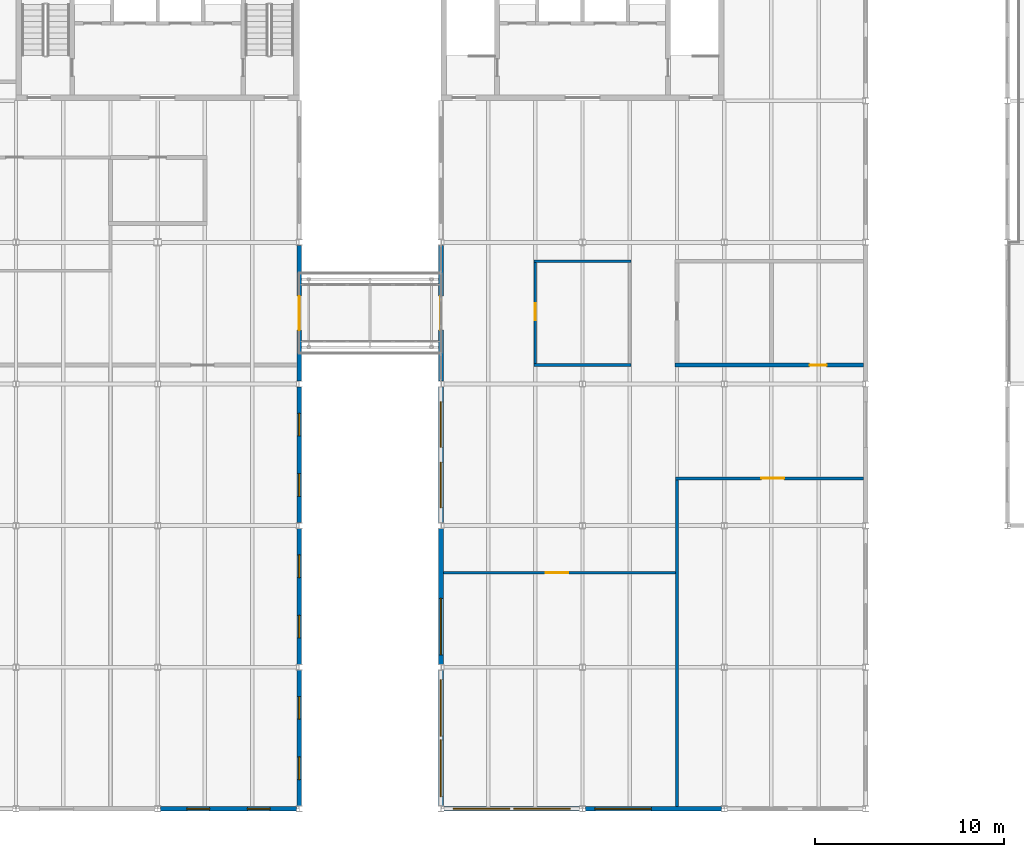
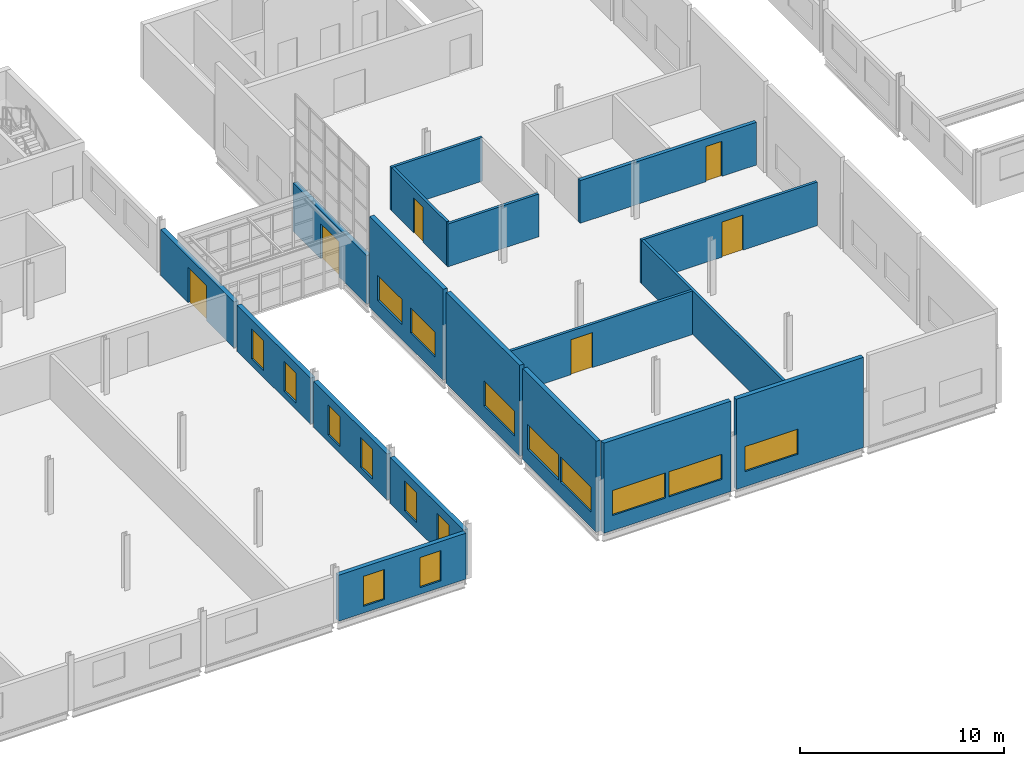
# One storey, part 52 of 198: 18 walls, 16 windows, 6 doors, 22 openings.
"""IFC4 building model written with IfcOpenShell, lengths in metres."""

from ifc_helpers import new_model, si_unit, direction, frame, frame_2d, origin, place, context, subcontext, project, spatial, rectangle, extrude, material, layer, layer_set, type_object, element, fill, save


model = new_model("IFC4")

# Units and contexts
model_context = context("Model", 3, precision=1e-05, world=origin(), true_north=direction((0.0, 1.0)))
body_context = subcontext(model_context, "Body", "Model", "MODEL_VIEW")
ifc_project = project(units=[si_unit("LENGTHUNIT", "METRE"), si_unit("AREAUNIT", "SQUARE_METRE"), si_unit("VOLUMEUNIT", "CUBIC_METRE"), si_unit("PLANEANGLEUNIT", "RADIAN"), si_unit("MASSUNIT", "GRAM", prefix="KILO")], contexts=[model_context])

# Site, building, storey
site_placement = place(None, origin())
site = spatial("IfcSite", under=ifc_project, at=site_placement, CompositionType="ELEMENT")
building_placement = place(site_placement, origin())
building = spatial("IfcBuilding", under=site, at=building_placement, Name="Parallax Yard Mobility Hub", CompositionType="ELEMENT")
storey_placement = place(building_placement, frame((0.0, 0.0, 6.60009765625)))
storey = spatial("IfcBuildingStorey", under=building, at=storey_placement, Name="L02", CompositionType="ELEMENT", Elevation=6.60009765625)

# Wall, openings, windows
ifc_material_1 = material(Name="Concrete fc' 35 MPa", Category="concrete")
ifc_layer_1 = layer(ifc_material_1, 0.25)
ifc_layer_set_1 = layer_set([ifc_layer_1], Name="Exterior wall, Concrete fc' 35 MPa precast, 250 with insulation lining")
wall_type_1 = type_object("IfcWallType", Name="Exterior wall, Concrete fc' 35 MPa precast, 250 with insulation lining", PredefinedType="SOLIDWALL", material=ifc_layer_set_1)
wall_1_placement = place(storey_placement, frame((150.153564453125, 7.5, 0.0), z_axis=(0.0, 0.0, 1.0), x_axis=(1.0, 0.0, 0.0)))
wall_1 = element("IfcWall", 1, at=wall_1_placement, inside=storey, type_object=wall_type_1, Name="Bicycle and shared-mobility hall south wall bay 1 level L02", PredefinedType="SOLIDWALL", context=body_context, shape_type="SweptSolid", body=[
    extrude(rectangle(XDim=7.19287109375, YDim=0.25, at=frame_2d((3.596435546875, 0.0))), origin(), (0.0, 0.0, 1.0), 5.39990234375),
])
opening_1_placement = place(wall_1_placement, frame((0.497802734375, 0.0, 0.89990234375)))
opening_1 = element("IfcOpeningElement", 2, at=opening_1_placement, cuts=wall_1, Name="Opening W7", PredefinedType="OPENING", context=body_context, shape_type="SweptSolid", body=[
    extrude(rectangle(XDim=3.0, YDim=1.5, at=frame_2d((1.5, 0.75))), frame((0.0, 0.135009765625, 0.0), z_axis=(0.0, -1.0, 0.0), x_axis=(1.0, 0.0, 0.0)), (0.0, 0.0, 1.0), 0.27001953125),
])
opening_2_placement = place(wall_1_placement, frame((3.6953125, 0.0, 0.89990234375)))
opening_2 = element("IfcOpeningElement", 3, at=opening_2_placement, cuts=wall_1, Name="Opening W7", PredefinedType="OPENING", context=body_context, shape_type="SweptSolid", body=[
    extrude(rectangle(XDim=3.0, YDim=1.5, at=frame_2d((1.5, 0.75))), frame((0.0, 0.135009765625, 0.0), z_axis=(0.0, -1.0, 0.0), x_axis=(1.0, 0.0, 0.0)), (0.0, 0.0, 1.0), 0.27001953125),
])
ifc_material_2 = material(Name="Double glazed low-E unit in thermally broken aluminium frame", Category="aluminium")
window_type_1 = type_object("IfcWindowType", Name="Meeting room window 3000 x 1500", PartitioningType="TRIPLE_PANEL_VERTICAL", PredefinedType="WINDOW", material=ifc_material_2)
window_1_placement = place(opening_1_placement, origin())
window_1 = element("IfcWindow", 4, at=window_1_placement, inside=storey, type_object=window_type_1, Name="Window W7 level L02", OverallHeight=1.5, OverallWidth=3.0, PartitioningType="TRIPLE_PANEL_VERTICAL", PredefinedType="WINDOW", context=body_context, shape_type="SweptSolid", body=[
    extrude(rectangle(XDim=3.0, YDim=1.5, at=frame_2d((1.5, 0.75))), frame((0.0, 0.030029296875, 0.0), z_axis=(0.0, -1.0, 0.0), x_axis=(1.0, 0.0, 0.0)), (0.0, 0.0, 1.0), 0.06005859375),
])
fill(opening_1, window_1)
window_2_placement = place(opening_2_placement, origin())
window_2 = element("IfcWindow", 5, at=window_2_placement, inside=storey, type_object=window_type_1, Name="Window W7 level L02", OverallHeight=1.5, OverallWidth=3.0, PartitioningType="TRIPLE_PANEL_VERTICAL", PredefinedType="WINDOW", context=body_context, shape_type="SweptSolid", body=[
    extrude(rectangle(XDim=3.0, YDim=1.5, at=frame_2d((1.5, 0.75))), frame((0.0, 0.030029296875, 0.0), z_axis=(0.0, -1.0, 0.0), x_axis=(1.0, 0.0, 0.0)), (0.0, 0.0, 1.0), 0.06005859375),
])
fill(opening_2, window_2)

# Wall, opening, window
wall_2_placement = place(storey_placement, frame((157.653564453125, 7.5, 0.0), z_axis=(0.0, 0.0, 1.0), x_axis=(1.0, 0.0, 0.0)))
wall_2 = element("IfcWall", 6, at=wall_2_placement, inside=storey, type_object=wall_type_1, Name="Bicycle and shared-mobility hall south wall bay 2 level L02", PredefinedType="SOLIDWALL", context=body_context, shape_type="SweptSolid", body=[
    extrude(rectangle(XDim=7.19287109375, YDim=0.25, at=frame_2d((3.596435546875, 0.0))), origin(), (0.0, 0.0, 1.0), 5.39990234375),
])
opening_3_placement = place(wall_2_placement, frame((0.497802734375, 0.0, 0.89990234375)))
opening_3 = element("IfcOpeningElement", 7, at=opening_3_placement, cuts=wall_2, Name="Opening W7", PredefinedType="OPENING", context=body_context, shape_type="SweptSolid", body=[
    extrude(rectangle(XDim=3.0, YDim=1.5, at=frame_2d((1.5, 0.75))), frame((0.0, 0.135009765625, 0.0), z_axis=(0.0, -1.0, 0.0), x_axis=(1.0, 0.0, 0.0)), (0.0, 0.0, 1.0), 0.27001953125),
])
window_3_placement = place(opening_3_placement, origin())
window_3 = element("IfcWindow", 8, at=window_3_placement, inside=storey, type_object=window_type_1, Name="Window W7 level L02", OverallHeight=1.5, OverallWidth=3.0, PartitioningType="TRIPLE_PANEL_VERTICAL", PredefinedType="WINDOW", context=body_context, shape_type="SweptSolid", body=[
    extrude(rectangle(XDim=3.0, YDim=1.5, at=frame_2d((1.5, 0.75))), frame((0.0, 0.030029296875, 0.0), z_axis=(0.0, -1.0, 0.0), x_axis=(1.0, 0.0, 0.0)), (0.0, 0.0, 1.0), 0.06005859375),
])
fill(opening_3, window_3)

# Wall, openings, windows
wall_3_placement = place(storey_placement, frame((150.0, 7.653564453125, 0.0), z_axis=(0.0, 0.0, 1.0), x_axis=(0.0, 1.0, 0.0)))
wall_3 = element("IfcWall", 9, at=wall_3_placement, inside=storey, type_object=wall_type_1, Name="Bicycle and shared-mobility hall west wall bay 1 level L02", PredefinedType="SOLIDWALL", context=body_context, shape_type="SweptSolid", body=[
    extrude(rectangle(XDim=7.19287109375, YDim=0.25, at=frame_2d((3.596435546875, 0.0))), origin(), (0.0, 0.0, 1.0), 5.4404296875),
])
opening_4_placement = place(wall_3_placement, frame((0.497802734375, 0.0, 0.89990234375)))
opening_4 = element("IfcOpeningElement", 10, at=opening_4_placement, cuts=wall_3, Name="Opening W7", PredefinedType="OPENING", context=body_context, shape_type="SweptSolid", body=[
    extrude(rectangle(XDim=3.0, YDim=1.5, at=frame_2d((1.5, 0.75))), frame((0.0, 0.135009765625, 0.0), z_axis=(0.0, -1.0, 0.0), x_axis=(1.0, 0.0, 0.0)), (0.0, 0.0, 1.0), 0.27001953125),
])
opening_5_placement = place(wall_3_placement, frame((3.6953125, 0.0, 0.89990234375)))
opening_5 = element("IfcOpeningElement", 11, at=opening_5_placement, cuts=wall_3, Name="Opening W7", PredefinedType="OPENING", context=body_context, shape_type="SweptSolid", body=[
    extrude(rectangle(XDim=3.0, YDim=1.5, at=frame_2d((1.5, 0.75))), frame((0.0, 0.135009765625, 0.0), z_axis=(0.0, -1.0, 0.0), x_axis=(1.0, 0.0, 0.0)), (0.0, 0.0, 1.0), 0.27001953125),
])
window_4_placement = place(opening_4_placement, origin())
window_4 = element("IfcWindow", 12, at=window_4_placement, inside=storey, type_object=window_type_1, Name="Window W7 level L02", OverallHeight=1.5, OverallWidth=3.0, PartitioningType="TRIPLE_PANEL_VERTICAL", PredefinedType="WINDOW", context=body_context, shape_type="SweptSolid", body=[
    extrude(rectangle(XDim=3.0, YDim=1.5, at=frame_2d((1.5, 0.75))), frame((0.0, 0.030029296875, 0.0), z_axis=(0.0, -1.0, 0.0), x_axis=(1.0, 0.0, 0.0)), (0.0, 0.0, 1.0), 0.06005859375),
])
fill(opening_4, window_4)
window_5_placement = place(opening_5_placement, origin())
window_5 = element("IfcWindow", 13, at=window_5_placement, inside=storey, type_object=window_type_1, Name="Window W7 level L02", OverallHeight=1.5, OverallWidth=3.0, PartitioningType="TRIPLE_PANEL_VERTICAL", PredefinedType="WINDOW", context=body_context, shape_type="SweptSolid", body=[
    extrude(rectangle(XDim=3.0, YDim=1.5, at=frame_2d((1.5, 0.75))), frame((0.0, 0.030029296875, 0.0), z_axis=(0.0, -1.0, 0.0), x_axis=(1.0, 0.0, 0.0)), (0.0, 0.0, 1.0), 0.06005859375),
])
fill(opening_5, window_5)

# Wall, opening, window
wall_4_placement = place(storey_placement, frame((150.0, 15.153564453125, 0.0), z_axis=(0.0, 0.0, 1.0), x_axis=(0.0, 1.0, 0.0)))
wall_4 = element("IfcWall", 14, at=wall_4_placement, inside=storey, type_object=wall_type_1, Name="Bicycle and shared-mobility hall west wall bay 2 level L02", PredefinedType="SOLIDWALL", context=body_context, shape_type="SweptSolid", body=[
    extrude(rectangle(XDim=7.19287109375, YDim=0.25, at=frame_2d((3.596435546875, 0.0))), origin(), (0.0, 0.0, 1.0), 5.4404296875),
])
opening_6_placement = place(wall_4_placement, frame((0.497802734375, 0.0, 0.89990234375)))
opening_6 = element("IfcOpeningElement", 15, at=opening_6_placement, cuts=wall_4, Name="Opening W7", PredefinedType="OPENING", context=body_context, shape_type="SweptSolid", body=[
    extrude(rectangle(XDim=3.0, YDim=1.5, at=frame_2d((1.5, 0.75))), frame((0.0, 0.135009765625, 0.0), z_axis=(0.0, -1.0, 0.0), x_axis=(1.0, 0.0, 0.0)), (0.0, 0.0, 1.0), 0.27001953125),
])
window_6_placement = place(opening_6_placement, origin())
window_6 = element("IfcWindow", 16, at=window_6_placement, inside=storey, type_object=window_type_1, Name="Window W7 level L02", OverallHeight=1.5, OverallWidth=3.0, PartitioningType="TRIPLE_PANEL_VERTICAL", PredefinedType="WINDOW", context=body_context, shape_type="SweptSolid", body=[
    extrude(rectangle(XDim=3.0, YDim=1.5, at=frame_2d((1.5, 0.75))), frame((0.0, 0.030029296875, 0.0), z_axis=(0.0, -1.0, 0.0), x_axis=(1.0, 0.0, 0.0)), (0.0, 0.0, 1.0), 0.06005859375),
])
fill(opening_6, window_6)

# Wall, openings, windows
wall_5_placement = place(storey_placement, frame((150.0, 22.653564453125, 0.0), z_axis=(0.0, 0.0, 1.0), x_axis=(0.0, 1.0, 0.0)))
wall_5 = element("IfcWall", 17, at=wall_5_placement, inside=storey, type_object=wall_type_1, Name="Bicycle and shared-mobility hall west wall bay 3 level L02", PredefinedType="SOLIDWALL", context=body_context, shape_type="SweptSolid", body=[
    extrude(rectangle(XDim=7.19287109375, YDim=0.25, at=frame_2d((3.596435546875, 0.0))), origin(), (0.0, 0.0, 1.0), 5.4404296875),
])
opening_7_placement = place(wall_5_placement, frame((0.797607421875, 0.0, 0.89990234375)))
opening_7 = element("IfcOpeningElement", 18, at=opening_7_placement, cuts=wall_5, Name="Opening W1", PredefinedType="OPENING", context=body_context, shape_type="SweptSolid", body=[
    extrude(rectangle(XDim=2.39990234375, YDim=1.5, at=frame_2d((1.199951171875, 0.75))), frame((0.0, 0.135009765625, 0.0), z_axis=(0.0, -1.0, 0.0), x_axis=(1.0, 0.0, 0.0)), (0.0, 0.0, 1.0), 0.27001953125),
])
opening_8_placement = place(wall_5_placement, frame((3.995361328125, 0.0, 0.89990234375)))
opening_8 = element("IfcOpeningElement", 19, at=opening_8_placement, cuts=wall_5, Name="Opening W1", PredefinedType="OPENING", context=body_context, shape_type="SweptSolid", body=[
    extrude(rectangle(XDim=2.39990234375, YDim=1.5, at=frame_2d((1.199951171875, 0.75))), frame((0.0, 0.135009765625, 0.0), z_axis=(0.0, -1.0, 0.0), x_axis=(1.0, 0.0, 0.0)), (0.0, 0.0, 1.0), 0.27001953125),
])
window_type_2 = type_object("IfcWindowType", Name="Window 2400 x 1500", PartitioningType="DOUBLE_PANEL_VERTICAL", PredefinedType="WINDOW", material=ifc_material_2)
window_7_placement = place(opening_7_placement, origin())
window_7 = element("IfcWindow", 20, at=window_7_placement, inside=storey, type_object=window_type_2, Name="Window W1 level L02", OverallHeight=1.5, OverallWidth=2.39990234375, PartitioningType="DOUBLE_PANEL_VERTICAL", PredefinedType="WINDOW", context=body_context, shape_type="SweptSolid", body=[
    extrude(rectangle(XDim=2.39990234375, YDim=1.5, at=frame_2d((1.199951171875, 0.75))), frame((0.0, 0.030029296875, 0.0), z_axis=(0.0, -1.0, 0.0), x_axis=(1.0, 0.0, 0.0)), (0.0, 0.0, 1.0), 0.06005859375),
])
fill(opening_7, window_7)
window_8_placement = place(opening_8_placement, origin())
window_8 = element("IfcWindow", 21, at=window_8_placement, inside=storey, type_object=window_type_2, Name="Window W1 level L02", OverallHeight=1.5, OverallWidth=2.39990234375, PartitioningType="DOUBLE_PANEL_VERTICAL", PredefinedType="WINDOW", context=body_context, shape_type="SweptSolid", body=[
    extrude(rectangle(XDim=2.39990234375, YDim=1.5, at=frame_2d((1.199951171875, 0.75))), frame((0.0, 0.030029296875, 0.0), z_axis=(0.0, -1.0, 0.0), x_axis=(1.0, 0.0, 0.0)), (0.0, 0.0, 1.0), 0.06005859375),
])
fill(opening_8, window_8)

# Wall, opening, door
wall_6_placement = place(storey_placement, frame((150.0, 30.153564453125, 0.0), z_axis=(0.0, 0.0, 1.0), x_axis=(0.0, 1.0, 0.0)))
wall_6 = element("IfcWall", 22, at=wall_6_placement, inside=storey, type_object=wall_type_1, Name="Bicycle and shared-mobility hall west wall bay 4 level L02", PredefinedType="SOLIDWALL", context=body_context, shape_type="SweptSolid", body=[
    extrude(rectangle(XDim=7.19287109375, YDim=0.25, at=frame_2d((3.596435546875, 0.0))), origin(), (0.0, 0.0, 1.0), 2.89990234375),
])
opening_9_placement = place(wall_6_placement, frame((2.696533203125, 0.0, 0.0)))
opening_9 = element("IfcOpeningElement", 23, at=opening_9_placement, cuts=wall_6, Name="Opening L02-D101", PredefinedType="OPENING", context=body_context, shape_type="SweptSolid", body=[
    extrude(rectangle(XDim=1.800048828125, YDim=2.10009765625, at=frame_2d((0.89990234375, 1.050048828125))), frame((0.0, 0.135009765625, 0.0), z_axis=(0.0, -1.0, 0.0), x_axis=(1.0, 0.0, 0.0)), (0.0, 0.0, 1.0), 0.27001953125),
])
ifc_material_3 = material(Name="Aluminium frame with laminated glass leaves", Category="aluminium")
door_type_1 = type_object("IfcDoorType", Name="Bridge door double 1800 x 2100", OperationType="DOUBLE_DOOR_SINGLE_SWING", PredefinedType="DOOR", material=ifc_material_3)
door_1_placement = place(opening_9_placement, origin())
door_1 = element("IfcDoor", 24, at=door_1_placement, inside=storey, type_object=door_type_1, Name="Bridge door L02-D101", OperationType="DOUBLE_DOOR_SINGLE_SWING", OverallHeight=2.10009765625, OverallWidth=1.800048828125, PredefinedType="DOOR", context=body_context, shape_type="SweptSolid", body=[
    extrude(rectangle(XDim=1.800048828125, YDim=2.10009765625, at=frame_2d((0.89990234375, 1.050048828125))), frame((0.0, 0.02490234375, 0.0), z_axis=(0.0, -1.0, 0.0), x_axis=(1.0, 0.0, 0.0)), (0.0, 0.0, 1.0), 0.050048828125),
])
fill(opening_9, door_1)

# Wall, openings, windows
wall_7_placement = place(storey_placement, frame((135.153564453125, 7.5, 0.0), z_axis=(0.0, 0.0, 1.0), x_axis=(1.0, 0.0, 0.0)))
wall_7 = element("IfcWall", 25, at=wall_7_placement, inside=storey, type_object=wall_type_1, Name="Mobility service centre and workshops south wall bay 6 level L02", PredefinedType="SOLIDWALL", context=body_context, shape_type="SweptSolid", body=[
    extrude(rectangle(XDim=7.19287109375, YDim=0.25, at=frame_2d((3.596435546875, 0.0))), origin(), (0.0, 0.0, 1.0), 2.7509765625),
])
opening_10_placement = place(wall_7_placement, frame((1.397705078125, 0.0, 0.39990234375)))
opening_10 = element("IfcOpeningElement", 26, at=opening_10_placement, cuts=wall_7, Name="Opening LV7", PredefinedType="OPENING", context=body_context, shape_type="SweptSolid", body=[
    extrude(rectangle(XDim=1.199951171875, YDim=1.800048828125, at=frame_2d((0.60009765625, 0.89990234375))), frame((0.0, 0.135009765625, 0.0), z_axis=(0.0, -1.0, 0.0), x_axis=(1.0, 0.0, 0.0)), (0.0, 0.0, 1.0), 0.27001953125),
])
opening_11_placement = place(wall_7_placement, frame((4.59521484375, 0.0, 0.39990234375)))
opening_11 = element("IfcOpeningElement", 27, at=opening_11_placement, cuts=wall_7, Name="Opening LV7", PredefinedType="OPENING", context=body_context, shape_type="SweptSolid", body=[
    extrude(rectangle(XDim=1.199951171875, YDim=1.800048828125, at=frame_2d((0.60009765625, 0.89990234375))), frame((0.0, 0.135009765625, 0.0), z_axis=(0.0, -1.0, 0.0), x_axis=(1.0, 0.0, 0.0)), (0.0, 0.0, 1.0), 0.27001953125),
])
ifc_material_4 = material(Name="Extruded aluminium storm louvre blades in a powder-coated frame", Category="aluminium")
window_type_3 = type_object("IfcWindowType", Name="Store louvre 1200 x 1800", PartitioningType="SINGLE_PANEL", PredefinedType="WINDOW", material=ifc_material_4)
window_9_placement = place(opening_10_placement, origin())
window_9 = element("IfcWindow", 28, at=window_9_placement, inside=storey, type_object=window_type_3, Name="LV7 louvre level L02", OverallHeight=1.800048828125, OverallWidth=1.199951171875, PartitioningType="SINGLE_PANEL", PredefinedType="WINDOW", context=body_context, shape_type="SweptSolid", body=[
    extrude(rectangle(XDim=1.199951171875, YDim=1.800048828125, at=frame_2d((0.60009765625, 0.89990234375))), frame((0.0, 0.030029296875, 0.0), z_axis=(0.0, -1.0, 0.0), x_axis=(1.0, 0.0, 0.0)), (0.0, 0.0, 1.0), 0.06005859375),
])
fill(opening_10, window_9)
window_10_placement = place(opening_11_placement, origin())
window_10 = element("IfcWindow", 29, at=window_10_placement, inside=storey, type_object=window_type_3, Name="LV7 louvre level L02", OverallHeight=1.800048828125, OverallWidth=1.199951171875, PartitioningType="SINGLE_PANEL", PredefinedType="WINDOW", context=body_context, shape_type="SweptSolid", body=[
    extrude(rectangle(XDim=1.199951171875, YDim=1.800048828125, at=frame_2d((0.60009765625, 0.89990234375))), frame((0.0, 0.030029296875, 0.0), z_axis=(0.0, -1.0, 0.0), x_axis=(1.0, 0.0, 0.0)), (0.0, 0.0, 1.0), 0.06005859375),
])
fill(opening_11, window_10)

wall_8_placement = place(storey_placement, frame((142.5, 7.653564453125, 0.0), z_axis=(0.0, 0.0, 1.0), x_axis=(0.0, 1.0, 0.0)))
wall_8 = element("IfcWall", 30, at=wall_8_placement, inside=storey, type_object=wall_type_1, Name="Mobility service centre and workshops east wall bay 1 level L02", PredefinedType="SOLIDWALL", context=body_context, shape_type="SweptSolid", body=[
    extrude(rectangle(XDim=7.19287109375, YDim=0.25, at=frame_2d((3.596435546875, 0.0))), origin(), (0.0, 0.0, 1.0), 2.7509765625),
])
opening_12_placement = place(wall_8_placement, frame((1.397705078125, 0.0, 0.39990234375)))
opening_12 = element("IfcOpeningElement", 31, at=opening_12_placement, cuts=wall_8, Name="Opening LV7", PredefinedType="OPENING", context=body_context, shape_type="SweptSolid", body=[
    extrude(rectangle(XDim=1.199951171875, YDim=1.800048828125, at=frame_2d((0.60009765625, 0.89990234375))), frame((0.0, 0.135009765625, 0.0), z_axis=(0.0, -1.0, 0.0), x_axis=(1.0, 0.0, 0.0)), (0.0, 0.0, 1.0), 0.27001953125),
])
opening_13_placement = place(wall_8_placement, frame((4.59521484375, 0.0, 0.39990234375)))
opening_13 = element("IfcOpeningElement", 32, at=opening_13_placement, cuts=wall_8, Name="Opening LV7", PredefinedType="OPENING", context=body_context, shape_type="SweptSolid", body=[
    extrude(rectangle(XDim=1.199951171875, YDim=1.800048828125, at=frame_2d((0.60009765625, 0.89990234375))), frame((0.0, 0.135009765625, 0.0), z_axis=(0.0, -1.0, 0.0), x_axis=(1.0, 0.0, 0.0)), (0.0, 0.0, 1.0), 0.27001953125),
])
window_11_placement = place(opening_12_placement, origin())
window_11 = element("IfcWindow", 33, at=window_11_placement, inside=storey, type_object=window_type_3, Name="LV7 louvre level L02", OverallHeight=1.800048828125, OverallWidth=1.199951171875, PartitioningType="SINGLE_PANEL", PredefinedType="WINDOW", context=body_context, shape_type="SweptSolid", body=[
    extrude(rectangle(XDim=1.199951171875, YDim=1.800048828125, at=frame_2d((0.60009765625, 0.89990234375))), frame((0.0, 0.030029296875, 0.0), z_axis=(0.0, -1.0, 0.0), x_axis=(1.0, 0.0, 0.0)), (0.0, 0.0, 1.0), 0.06005859375),
])
fill(opening_12, window_11)
window_12_placement = place(opening_13_placement, origin())
window_12 = element("IfcWindow", 34, at=window_12_placement, inside=storey, type_object=window_type_3, Name="LV7 louvre level L02", OverallHeight=1.800048828125, OverallWidth=1.199951171875, PartitioningType="SINGLE_PANEL", PredefinedType="WINDOW", context=body_context, shape_type="SweptSolid", body=[
    extrude(rectangle(XDim=1.199951171875, YDim=1.800048828125, at=frame_2d((0.60009765625, 0.89990234375))), frame((0.0, 0.030029296875, 0.0), z_axis=(0.0, -1.0, 0.0), x_axis=(1.0, 0.0, 0.0)), (0.0, 0.0, 1.0), 0.06005859375),
])
fill(opening_13, window_12)

wall_9_placement = place(storey_placement, frame((142.5, 15.153564453125, 0.0), z_axis=(0.0, 0.0, 1.0), x_axis=(0.0, 1.0, 0.0)))
wall_9 = element("IfcWall", 35, at=wall_9_placement, inside=storey, type_object=wall_type_1, Name="Mobility service centre and workshops east wall bay 2 level L02", PredefinedType="SOLIDWALL", context=body_context, shape_type="SweptSolid", body=[
    extrude(rectangle(XDim=7.19287109375, YDim=0.25, at=frame_2d((3.596435546875, 0.0))), origin(), (0.0, 0.0, 1.0), 2.7509765625),
])
opening_14_placement = place(wall_9_placement, frame((1.397705078125, 0.0, 0.39990234375)))
opening_14 = element("IfcOpeningElement", 36, at=opening_14_placement, cuts=wall_9, Name="Opening LV7", PredefinedType="OPENING", context=body_context, shape_type="SweptSolid", body=[
    extrude(rectangle(XDim=1.199951171875, YDim=1.800048828125, at=frame_2d((0.60009765625, 0.89990234375))), frame((0.0, 0.135009765625, 0.0), z_axis=(0.0, -1.0, 0.0), x_axis=(1.0, 0.0, 0.0)), (0.0, 0.0, 1.0), 0.27001953125),
])
opening_15_placement = place(wall_9_placement, frame((4.59521484375, 0.0, 0.39990234375)))
opening_15 = element("IfcOpeningElement", 37, at=opening_15_placement, cuts=wall_9, Name="Opening LV7", PredefinedType="OPENING", context=body_context, shape_type="SweptSolid", body=[
    extrude(rectangle(XDim=1.199951171875, YDim=1.800048828125, at=frame_2d((0.60009765625, 0.89990234375))), frame((0.0, 0.135009765625, 0.0), z_axis=(0.0, -1.0, 0.0), x_axis=(1.0, 0.0, 0.0)), (0.0, 0.0, 1.0), 0.27001953125),
])
window_13_placement = place(opening_14_placement, origin())
window_13 = element("IfcWindow", 38, at=window_13_placement, inside=storey, type_object=window_type_3, Name="LV7 louvre level L02", OverallHeight=1.800048828125, OverallWidth=1.199951171875, PartitioningType="SINGLE_PANEL", PredefinedType="WINDOW", context=body_context, shape_type="SweptSolid", body=[
    extrude(rectangle(XDim=1.199951171875, YDim=1.800048828125, at=frame_2d((0.60009765625, 0.89990234375))), frame((0.0, 0.030029296875, 0.0), z_axis=(0.0, -1.0, 0.0), x_axis=(1.0, 0.0, 0.0)), (0.0, 0.0, 1.0), 0.06005859375),
])
fill(opening_14, window_13)
window_14_placement = place(opening_15_placement, origin())
window_14 = element("IfcWindow", 39, at=window_14_placement, inside=storey, type_object=window_type_3, Name="LV7 louvre level L02", OverallHeight=1.800048828125, OverallWidth=1.199951171875, PartitioningType="SINGLE_PANEL", PredefinedType="WINDOW", context=body_context, shape_type="SweptSolid", body=[
    extrude(rectangle(XDim=1.199951171875, YDim=1.800048828125, at=frame_2d((0.60009765625, 0.89990234375))), frame((0.0, 0.030029296875, 0.0), z_axis=(0.0, -1.0, 0.0), x_axis=(1.0, 0.0, 0.0)), (0.0, 0.0, 1.0), 0.06005859375),
])
fill(opening_15, window_14)

wall_10_placement = place(storey_placement, frame((142.5, 22.653564453125, 0.0), z_axis=(0.0, 0.0, 1.0), x_axis=(0.0, 1.0, 0.0)))
wall_10 = element("IfcWall", 40, at=wall_10_placement, inside=storey, type_object=wall_type_1, Name="Mobility service centre and workshops east wall bay 3 level L02", PredefinedType="SOLIDWALL", context=body_context, shape_type="SweptSolid", body=[
    extrude(rectangle(XDim=7.19287109375, YDim=0.25, at=frame_2d((3.596435546875, 0.0))), origin(), (0.0, 0.0, 1.0), 2.7509765625),
])
opening_16_placement = place(wall_10_placement, frame((1.397705078125, 0.0, 0.39990234375)))
opening_16 = element("IfcOpeningElement", 41, at=opening_16_placement, cuts=wall_10, Name="Opening LV7", PredefinedType="OPENING", context=body_context, shape_type="SweptSolid", body=[
    extrude(rectangle(XDim=1.199951171875, YDim=1.800048828125, at=frame_2d((0.60009765625, 0.89990234375))), frame((0.0, 0.135009765625, 0.0), z_axis=(0.0, -1.0, 0.0), x_axis=(1.0, 0.0, 0.0)), (0.0, 0.0, 1.0), 0.27001953125),
])
opening_17_placement = place(wall_10_placement, frame((4.59521484375, 0.0, 0.39990234375)))
opening_17 = element("IfcOpeningElement", 42, at=opening_17_placement, cuts=wall_10, Name="Opening LV7", PredefinedType="OPENING", context=body_context, shape_type="SweptSolid", body=[
    extrude(rectangle(XDim=1.199951171875, YDim=1.800048828125, at=frame_2d((0.60009765625, 0.89990234375))), frame((0.0, 0.135009765625, 0.0), z_axis=(0.0, -1.0, 0.0), x_axis=(1.0, 0.0, 0.0)), (0.0, 0.0, 1.0), 0.27001953125),
])
window_15_placement = place(opening_16_placement, origin())
window_15 = element("IfcWindow", 43, at=window_15_placement, inside=storey, type_object=window_type_3, Name="LV7 louvre level L02", OverallHeight=1.800048828125, OverallWidth=1.199951171875, PartitioningType="SINGLE_PANEL", PredefinedType="WINDOW", context=body_context, shape_type="SweptSolid", body=[
    extrude(rectangle(XDim=1.199951171875, YDim=1.800048828125, at=frame_2d((0.60009765625, 0.89990234375))), frame((0.0, 0.030029296875, 0.0), z_axis=(0.0, -1.0, 0.0), x_axis=(1.0, 0.0, 0.0)), (0.0, 0.0, 1.0), 0.06005859375),
])
fill(opening_16, window_15)
window_16_placement = place(opening_17_placement, origin())
window_16 = element("IfcWindow", 44, at=window_16_placement, inside=storey, type_object=window_type_3, Name="LV7 louvre level L02", OverallHeight=1.800048828125, OverallWidth=1.199951171875, PartitioningType="SINGLE_PANEL", PredefinedType="WINDOW", context=body_context, shape_type="SweptSolid", body=[
    extrude(rectangle(XDim=1.199951171875, YDim=1.800048828125, at=frame_2d((0.60009765625, 0.89990234375))), frame((0.0, 0.030029296875, 0.0), z_axis=(0.0, -1.0, 0.0), x_axis=(1.0, 0.0, 0.0)), (0.0, 0.0, 1.0), 0.06005859375),
])
fill(opening_17, window_16)

# Wall, opening, door
wall_11_placement = place(storey_placement, frame((142.5, 30.153564453125, 0.0), z_axis=(0.0, 0.0, 1.0), x_axis=(0.0, 1.0, 0.0)))
wall_11 = element("IfcWall", 45, at=wall_11_placement, inside=storey, type_object=wall_type_1, Name="Mobility service centre and workshops east wall bay 4 level L02", PredefinedType="SOLIDWALL", context=body_context, shape_type="SweptSolid", body=[
    extrude(rectangle(XDim=7.1875, YDim=0.25, at=frame_2d((3.59375, 0.0))), origin(), (0.0, 0.0, 1.0), 2.7509765625),
])
opening_18_placement = place(wall_11_placement, frame((2.696533203125, 0.0, 0.0)))
opening_18 = element("IfcOpeningElement", 46, at=opening_18_placement, cuts=wall_11, Name="Opening L02-D102", PredefinedType="OPENING", context=body_context, shape_type="SweptSolid", body=[
    extrude(rectangle(XDim=1.800048828125, YDim=2.10009765625, at=frame_2d((0.89990234375, 1.050048828125))), frame((0.0, 0.135009765625, 0.0), z_axis=(0.0, -1.0, 0.0), x_axis=(1.0, 0.0, 0.0)), (0.0, 0.0, 1.0), 0.27001953125),
])
door_2_placement = place(opening_18_placement, origin())
door_2 = element("IfcDoor", 47, at=door_2_placement, inside=storey, type_object=door_type_1, Name="Bridge door L02-D102", OperationType="DOUBLE_DOOR_SINGLE_SWING", OverallHeight=2.10009765625, OverallWidth=1.800048828125, PredefinedType="DOOR", context=body_context, shape_type="SweptSolid", body=[
    extrude(rectangle(XDim=1.800048828125, YDim=2.10009765625, at=frame_2d((0.89990234375, 1.050048828125))), frame((0.0, 0.02490234375, 0.0), z_axis=(0.0, -1.0, 0.0), x_axis=(1.0, 0.0, 0.0)), (0.0, 0.0, 1.0), 0.050048828125),
])
fill(opening_18, door_2)

ifc_material_5 = material(Name="Fire-rated plasterboard partition, two layers each side")
ifc_layer_2 = layer(ifc_material_5, 0.199951171875)
ifc_layer_set_2 = layer_set([ifc_layer_2], Name="Fire-rated partition 200 mm")
wall_type_2 = type_object("IfcWallType", Name="Fire-rated partition 200 mm", PredefinedType="PARTITIONING", material=ifc_layer_set_2)
wall_12_placement = place(storey_placement, frame((162.39990234375, 31.0, 0.0), z_axis=(0.0, 0.0, 1.0), x_axis=(1.0, 0.0, 0.0)))
wall_12 = element("IfcWall", 48, at=wall_12_placement, inside=storey, type_object=wall_type_2, Name="Partition 6 level L02", PredefinedType="PARTITIONING", context=body_context, shape_type="SweptSolid", body=[
    extrude(rectangle(XDim=9.97509765625, YDim=0.199951171875, at=frame_2d((4.987548828125, 0.0))), origin(), (0.0, 0.0, 1.0), 2.559814453125),
])
opening_19_placement = place(wall_12_placement, frame((7.125244140625, 0.0, 0.0)))
opening_19 = element("IfcOpeningElement", 49, at=opening_19_placement, cuts=wall_12, Name="Opening L02-D205", PredefinedType="OPENING", context=body_context, shape_type="SweptSolid", body=[
    extrude(rectangle(XDim=0.89990234375, YDim=2.10009765625, at=frame_2d((0.449951171875, 1.050048828125))), frame((0.0, 0.10986328125, 0.0), z_axis=(0.0, -1.0, 0.0), x_axis=(1.0, 0.0, 0.0)), (0.0, 0.0, 1.0), 0.219970703125),
])
ifc_material_6 = material(Name="Hollow metal fire door leaf with intumescent seals")
door_type_2 = type_object("IfcDoorType", Name="Fire door 900 mm FD60", OperationType="NOTDEFINED", PredefinedType="DOOR", material=ifc_material_6)
door_3_placement = place(opening_19_placement, origin())
door_3 = element("IfcDoor", 50, at=door_3_placement, inside=storey, type_object=door_type_2, Name="Door L02-D205 Cycle Storage Room", OperationType="SINGLE_SWING_RIGHT", OverallHeight=2.10009765625, OverallWidth=0.89990234375, PredefinedType="DOOR", context=body_context, shape_type="SweptSolid", body=[
    extrude(rectangle(XDim=0.89990234375, YDim=2.10009765625, at=frame_2d((0.449951171875, 1.050048828125))), frame((0.0, 0.02490234375, 0.0), z_axis=(0.0, -1.0, 0.0), x_axis=(1.0, 0.0, 0.0)), (0.0, 0.0, 1.0), 0.050048828125),
])
fill(opening_19, door_3)

ifc_material_7 = material(Name="Plasterboard partition on light framing")
ifc_layer_3 = layer(ifc_material_7, 0.14990234375)
ifc_layer_set_3 = layer_set([ifc_layer_3], Name="Partition 150 mm")
wall_type_3 = type_object("IfcWallType", Name="Partition 150 mm", PredefinedType="PARTITIONING", material=ifc_layer_set_3)
wall_13_placement = place(storey_placement, frame((150.125, 20.0, 0.0), z_axis=(0.0, 0.0, 1.0), x_axis=(1.0, 0.0, 0.0)))
wall_13 = element("IfcWall", 51, at=wall_13_placement, inside=storey, type_object=wall_type_3, Name="Partition 1 level L02", PredefinedType="PARTITIONING", context=body_context, shape_type="SweptSolid", body=[
    extrude(rectangle(XDim=12.300048828125, YDim=0.14990234375, at=frame_2d((6.14990234375, 0.0))), origin(), (0.0, 0.0, 1.0), 2.60986328125),
])
opening_20_placement = place(wall_13_placement, frame((5.425048828125, 0.0, 0.0)))
opening_20 = element("IfcOpeningElement", 52, at=opening_20_placement, cuts=wall_13, Name="Opening L02-D200", PredefinedType="OPENING", context=body_context, shape_type="SweptSolid", body=[
    extrude(rectangle(XDim=1.199951171875, YDim=2.10009765625, at=frame_2d((0.60009765625, 1.050048828125))), frame((0.0, 0.0849609375, 0.0), z_axis=(0.0, -1.0, 0.0), x_axis=(1.0, 0.0, 0.0)), (0.0, 0.0, 1.0), 0.169921875),
])
ifc_material_8 = material(Name="Solid timber door leaf", Category="wood")
door_type_3 = type_object("IfcDoorType", Name="Interior door 1200 mm", OperationType="DOUBLE_DOOR_SINGLE_SWING", PredefinedType="DOOR", material=ifc_material_8)
door_4_placement = place(opening_20_placement, origin())
door_4 = element("IfcDoor", 53, at=door_4_placement, inside=storey, type_object=door_type_3, Name="Door L02-D200 Cafe", OperationType="DOUBLE_DOOR_SINGLE_SWING", OverallHeight=2.10009765625, OverallWidth=1.199951171875, PredefinedType="DOOR", context=body_context, shape_type="SweptSolid", body=[
    extrude(rectangle(XDim=1.199951171875, YDim=2.10009765625, at=frame_2d((0.60009765625, 1.050048828125))), frame((0.0, 0.02490234375, 0.0), z_axis=(0.0, -1.0, 0.0), x_axis=(1.0, 0.0, 0.0)), (0.0, 0.0, 1.0), 0.050048828125),
])
fill(opening_20, door_4)

wall_14_placement = place(storey_placement, frame((162.425048828125, 25.0, 0.0), z_axis=(0.0, 0.0, 1.0), x_axis=(1.0, 0.0, 0.0)))
wall_14 = element("IfcWall", 54, at=wall_14_placement, inside=storey, type_object=wall_type_3, Name="Partition 2 level L02", PredefinedType="PARTITIONING", context=body_context, shape_type="SweptSolid", body=[
    extrude(rectangle(XDim=9.949951171875, YDim=0.14990234375, at=frame_2d((4.97509765625, 0.0))), origin(), (0.0, 0.0, 1.0), 2.60986328125),
])
opening_21_placement = place(wall_14_placement, frame((4.550048828125, 0.0, 0.0)))
opening_21 = element("IfcOpeningElement", 55, at=opening_21_placement, cuts=wall_14, Name="Opening L02-D201", PredefinedType="OPENING", context=body_context, shape_type="SweptSolid", body=[
    extrude(rectangle(XDim=1.199951171875, YDim=2.10009765625, at=frame_2d((0.60009765625, 1.050048828125))), frame((0.0, 0.0849609375, 0.0), z_axis=(0.0, -1.0, 0.0), x_axis=(1.0, 0.0, 0.0)), (0.0, 0.0, 1.0), 0.169921875),
])
door_5_placement = place(opening_21_placement, origin())
door_5 = element("IfcDoor", 56, at=door_5_placement, inside=storey, type_object=door_type_3, Name="Door L02-D201 Community Room", OperationType="DOUBLE_DOOR_SINGLE_SWING", OverallHeight=2.10009765625, OverallWidth=1.199951171875, PredefinedType="DOOR", context=body_context, shape_type="SweptSolid", body=[
    extrude(rectangle(XDim=1.199951171875, YDim=2.10009765625, at=frame_2d((0.60009765625, 1.050048828125))), frame((0.0, 0.02490234375, 0.0), z_axis=(0.0, -1.0, 0.0), x_axis=(1.0, 0.0, 0.0)), (0.0, 0.0, 1.0), 0.050048828125),
])
fill(opening_21, door_5)

# Walls
wall_15_placement = place(storey_placement, frame((154.925048828125, 31.0, 0.0), z_axis=(0.0, 0.0, 1.0), x_axis=(1.0, 0.0, 0.0)))
element("IfcWall", 57, at=wall_15_placement, inside=storey, type_object=wall_type_3, Name="Partition 5 level L02", PredefinedType="PARTITIONING", context=body_context, shape_type="SweptSolid", body=[
    extrude(rectangle(XDim=5.14990234375, YDim=0.14990234375, at=frame_2d((2.574951171875, 0.0))), origin(), (0.0, 0.0, 1.0), 2.559814453125),
])
wall_16_placement = place(storey_placement, frame((154.925048828125, 36.5, 0.0), z_axis=(0.0, 0.0, 1.0), x_axis=(1.0, 0.0, 0.0)))
element("IfcWall", 58, at=wall_16_placement, inside=storey, type_object=wall_type_3, Name="Partition 9 level L02", PredefinedType="PARTITIONING", context=body_context, shape_type="SweptSolid", body=[
    extrude(rectangle(XDim=5.14990234375, YDim=0.14990234375, at=frame_2d((2.574951171875, 0.0))), origin(), (0.0, 0.0, 1.0), 2.60986328125),
])

# Wall, opening, door
wall_17_placement = place(storey_placement, frame((155.0, 31.074951171875, 0.0), z_axis=(0.0, 0.0, 1.0), x_axis=(0.0, 1.0, 0.0)))
wall_17 = element("IfcWall", 59, at=wall_17_placement, inside=storey, type_object=wall_type_3, Name="Partition 47 level L02", PredefinedType="PARTITIONING", context=body_context, shape_type="SweptSolid", body=[
    extrude(rectangle(XDim=5.35009765625, YDim=0.14990234375, at=frame_2d((2.675048828125, 0.0))), origin(), (0.0, 0.0, 1.0), 2.60986328125),
])
opening_22_placement = place(wall_17_placement, frame((2.300048828125, 0.0, 0.0)))
opening_22 = element("IfcOpeningElement", 60, at=opening_22_placement, cuts=wall_17, Name="Opening L02-D206", PredefinedType="OPENING", context=body_context, shape_type="SweptSolid", body=[
    extrude(rectangle(XDim=0.89990234375, YDim=2.10009765625, at=frame_2d((0.449951171875, 1.050048828125))), frame((0.0, 0.0849609375, 0.0), z_axis=(0.0, -1.0, 0.0), x_axis=(1.0, 0.0, 0.0)), (0.0, 0.0, 1.0), 0.169921875),
])
door_type_4 = type_object("IfcDoorType", Name="Interior door 900 mm", OperationType="NOTDEFINED", PredefinedType="DOOR", material=ifc_material_8)
door_6_placement = place(opening_22_placement, origin())
door_6 = element("IfcDoor", 61, at=door_6_placement, inside=storey, type_object=door_type_4, Name="Door L02-D206 Cycle Club Room", OperationType="SINGLE_SWING_RIGHT", OverallHeight=2.10009765625, OverallWidth=0.89990234375, PredefinedType="DOOR", context=body_context, shape_type="SweptSolid", body=[
    extrude(rectangle(XDim=0.89990234375, YDim=2.10009765625, at=frame_2d((0.449951171875, 1.050048828125))), frame((0.0, 0.02490234375, 0.0), z_axis=(0.0, -1.0, 0.0), x_axis=(1.0, 0.0, 0.0)), (0.0, 0.0, 1.0), 0.050048828125),
])
fill(opening_22, door_6)

# Wall
wall_18_placement = place(storey_placement, frame((162.5, 7.625, 0.0), z_axis=(0.0, 0.0, 1.0), x_axis=(0.0, 1.0, 0.0)))
element("IfcWall", 62, at=wall_18_placement, inside=storey, type_object=wall_type_3, Name="Partition 49 level L02", PredefinedType="PARTITIONING", context=body_context, shape_type="SweptSolid", body=[
    extrude(rectangle(XDim=17.300048828125, YDim=0.14990234375, at=frame_2d((8.64990234375, 0.0))), origin(), (0.0, 0.0, 1.0), 2.60986328125),
])

save(model, "model.ifc")
